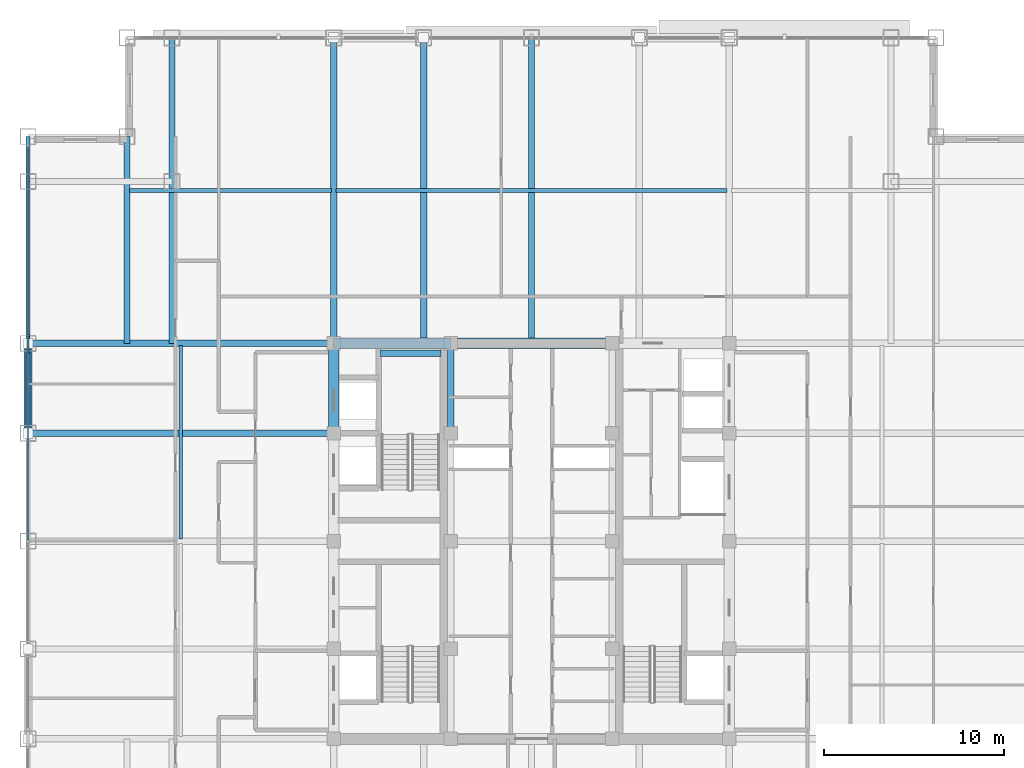
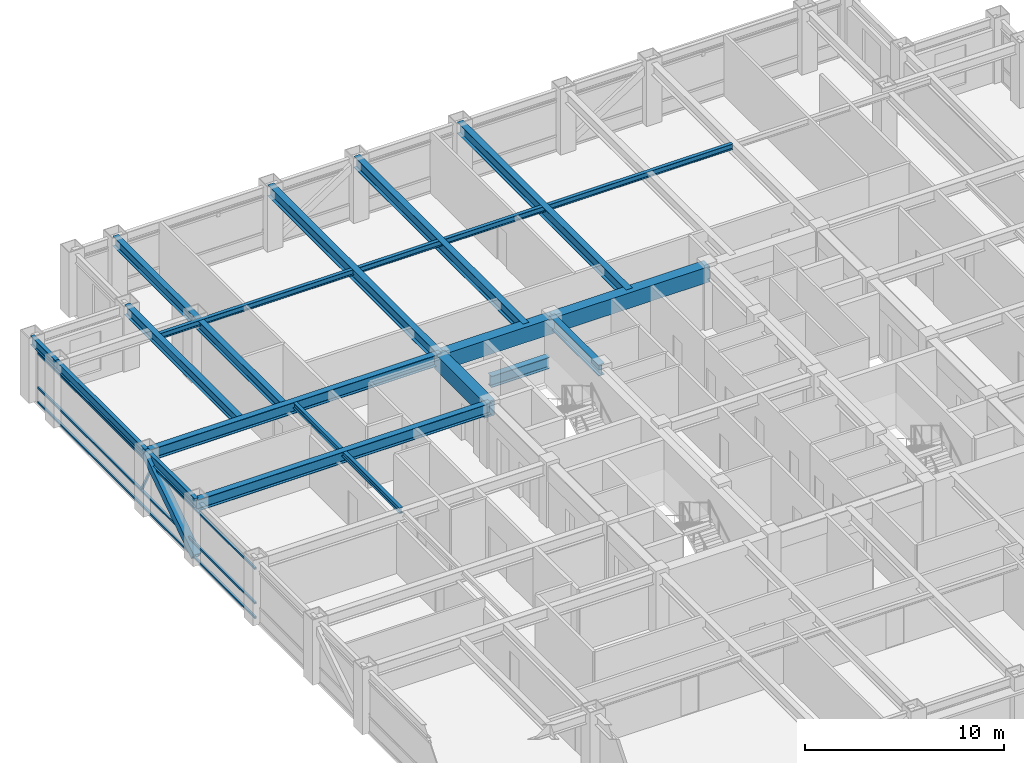
# One storey, part 11 of 27: 18 beams, 5 members, 1 element without a shape of its own.
"""IFC4 building model written with IfcOpenShell, lengths in metres."""

from ifc_helpers import new_model, si_unit, direction, frame, origin, origin_2d, place, context, subcontext, project, spatial, rectangle, hollow_rectangle, i_section, extrude, source, transform, mapped, material, material_profile, profile_set, type_object, element, aggregate, save


model = new_model("IFC4")

# Units and contexts
model_context = context("Model", 3, precision=1e-05, world=origin(), true_north=direction((0.0, 1.0)))
body_context = subcontext(model_context, "Body", "Model", "MODEL_VIEW")
ifc_project = project(units=[si_unit("LENGTHUNIT", "METRE"), si_unit("AREAUNIT", "SQUARE_METRE"), si_unit("VOLUMEUNIT", "CUBIC_METRE"), si_unit("PLANEANGLEUNIT", "RADIAN"), si_unit("MASSUNIT", "GRAM", prefix="KILO")], contexts=[model_context])

# Site, building, storey
site_placement = place(None, origin())
site = spatial("IfcSite", under=ifc_project, at=site_placement, CompositionType="ELEMENT")
building_placement = place(site_placement, origin())
building = spatial("IfcBuilding", under=site, at=building_placement, Name="Khorayat Bourse Tower", CompositionType="ELEMENT")
storey_placement = place(building_placement, frame((0.0, 0.0, 313.5)))
storey = spatial("IfcBuildingStorey", under=building, at=storey_placement, Name="L74", CompositionType="ELEMENT", Elevation=313.5)

# Beams
ifc_material_1 = material(Name="Steel ASTM A992 Grade 50", Category="steel")
ifc_material_profile_1 = material_profile(ifc_material_1, i_section(OverallWidth=0.35498046875, OverallDepth=0.695068359375, WebThickness=0.015380859375, FlangeThickness=0.02490234375, FilletRadius=0.01806640625, at=origin_2d()), Name="W690X217")
ifc_profile_set_1 = profile_set([ifc_material_profile_1], Name="Steel ASTM A992 Grade 50")
beam_type_1 = type_object("IfcBeamType", Name="BM-GIRD-690", PredefinedType="BEAM", material=ifc_profile_set_1)
shared_shape_1 = source(origin(), body_context, "Body", "SweptSolid", [
    extrude(i_section(OverallWidth=0.35498046875, OverallDepth=0.695068359375, WebThickness=0.015380859375, FlangeThickness=0.02490234375, FilletRadius=0.01806640625, at=origin_2d()), origin(), (0.0, 0.0, 1.0), 5.0),
])
beam_1_placement = place(storey_placement, frame((-4.5, 6.0, 3.4326171875), z_axis=(0.0, 1.0, 0.0), x_axis=(-1.0, 0.0, 0.0)))
element("IfcBeam", 1, at=beam_1_placement, inside=storey, type_object=beam_type_1, Name="L74 BM-GIRD-690 BM-L74-CRX-08", PredefinedType="BEAM", context=body_context, shape_type="MappedRepresentation", body=[
    mapped(shared_shape_1, transform((0.0, 0.0, 0.0), scale=1.0)),
])
shared_shape_2 = source(origin(), body_context, "Body", "SweptSolid", [
    extrude(i_section(OverallWidth=0.35498046875, OverallDepth=0.695068359375, WebThickness=0.015380859375, FlangeThickness=0.02490234375, FilletRadius=0.01806640625, at=origin_2d()), origin(), (0.0, 0.0, 1.0), 3.39990234375),
])
beam_2_placement = place(storey_placement, frame((-8.419921875, 10.449951171875, 1.452392578125), z_axis=(1.0, 0.0, 0.0), x_axis=(0.0, 1.0, 0.0)))
element("IfcBeam", 2, at=beam_2_placement, inside=storey, type_object=beam_type_1, Name="L74 BM-GIRD-690 BM-L74-ST2L", PredefinedType="BEAM", context=body_context, shape_type="MappedRepresentation", body=[
    mapped(shared_shape_2, transform((0.0, 0.0, 0.0), scale=1.0)),
])
ifc_material_profile_2 = material_profile(ifc_material_1, i_section(OverallWidth=0.324951171875, OverallDepth=0.615966796875, WebThickness=0.013916015625, FlangeThickness=0.021484375, FilletRadius=0.01611328125, at=origin_2d()), Name="W610X174")
ifc_profile_set_2 = profile_set([ifc_material_profile_2], Name="Steel ASTM A992 Grade 50")
beam_type_2 = type_object("IfcBeamType", Name="BM-GIRD-610", PredefinedType="BEAM", material=ifc_profile_set_2)
shared_shape_3 = source(origin(), body_context, "Body", "SweptSolid", [
    extrude(i_section(OverallWidth=0.324951171875, OverallDepth=0.615966796875, WebThickness=0.013916015625, FlangeThickness=0.021484375, FilletRadius=0.01611328125, at=origin_2d()), origin(), (0.0, 0.0, 1.0), 17.0),
])
beam_3_placement = place(storey_placement, frame((-20.0, 11.0, 3.471923828125), z_axis=(0.0, 1.0, 0.0), x_axis=(-1.0, 0.0, 0.0)))
element("IfcBeam", 3, at=beam_3_placement, inside=storey, type_object=beam_type_2, Name="L74 BM-GIRD-610 BM-L74-CNRY-085", PredefinedType="BEAM", context=body_context, shape_type="MappedRepresentation", body=[
    mapped(shared_shape_3, transform((0.0, 0.0, 0.0), scale=1.0)),
])
ifc_material_2 = material(Name="Concrete C60/75", Category="concrete")
ifc_material_profile_3 = material_profile(ifc_material_2, rectangle(XDim=0.60009765625, YDim=0.949951171875, at=origin_2d()), Name="RC 600x950")
ifc_profile_set_3 = profile_set([ifc_material_profile_3], Name="Concrete C60/75")
beam_type_3 = type_object("IfcBeamType", Name="BM-COUP-950", PredefinedType="BEAM", material=ifc_profile_set_3)
shared_shape_4 = source(origin(), body_context, "Body", "SweptSolid", [
    extrude(rectangle(XDim=0.60009765625, YDim=0.949951171875, at=origin_2d()), origin(), (0.0, 0.0, 1.0), 5.0),
])
beam_4_placement = place(storey_placement, frame((-11.0, 6.0, 3.304931640625), z_axis=(0.0, 1.0, 0.0), x_axis=(-1.0, 0.0, 0.0)))
element("IfcBeam", 4, at=beam_4_placement, inside=storey, type_object=beam_type_3, Name="L74 BM-COUP-950 BM-L74-CRX-04", PredefinedType="BEAM", context=body_context, shape_type="MappedRepresentation", body=[
    mapped(shared_shape_4, transform((0.0, 0.0, 0.0), scale=1.0)),
])
shared_shape_5 = source(origin(), body_context, "Body", "SweptSolid", [
    extrude(rectangle(XDim=0.60009765625, YDim=0.949951171875, at=origin_2d()), origin(), (0.0, 0.0, 1.0), 6.5),
])
beam_5_placement = place(storey_placement, frame((-11.0, 11.0, 3.304931640625), z_axis=(1.0, 0.0, 0.0), x_axis=(0.0, 1.0, 0.0)))
element("IfcBeam", 5, at=beam_5_placement, inside=storey, type_object=beam_type_3, Name="L74 BM-COUP-950 BM-L74-CRY-20", PredefinedType="BEAM", context=body_context, shape_type="MappedRepresentation", body=[
    mapped(shared_shape_5, transform((0.0, 0.0, 0.0), scale=1.0)),
])
shared_shape_6 = source(origin(), body_context, "Body", "SweptSolid", [
    extrude(rectangle(XDim=0.60009765625, YDim=0.949951171875, at=origin_2d()), origin(), (0.0, 0.0, 1.0), 9.0),
])
beam_6_placement = place(storey_placement, frame((-4.5, 11.0, 3.304931640625), z_axis=(1.0, 0.0, 0.0), x_axis=(0.0, 1.0, 0.0)))
element("IfcBeam", 6, at=beam_6_placement, inside=storey, type_object=beam_type_3, Name="L74 BM-COUP-950 BM-L74-CRY-21", PredefinedType="BEAM", context=body_context, shape_type="MappedRepresentation", body=[
    mapped(shared_shape_6, transform((0.0, 0.0, 0.0), scale=1.0)),
])

# Member
ifc_material_3 = material(Name="Steel EN 10025-4 S460M", Category="steel")
ifc_material_profile_4 = material_profile(ifc_material_3, hollow_rectangle(XDim=0.449951171875, YDim=0.449951171875, WallThickness=0.02490234375, at=origin_2d()), Name="HSS 450x450x25")
ifc_profile_set_4 = profile_set([ifc_material_profile_4], Name="Steel EN 10025-4 S460M")
member_type_1 = type_object("IfcMemberType", Name="MBR-TUBE-450", PredefinedType="BRACE", material=ifc_profile_set_4)
shared_shape_7 = source(origin(), body_context, "Body", "SweptSolid", [
    extrude(hollow_rectangle(XDim=0.449951171875, YDim=0.449951171875, WallThickness=0.02490234375, at=origin_2d()), origin(), (0.0, 0.0, 1.0), 5.979736328125),
])
member_1_placement = place(storey_placement, frame((-28.0, 6.0, 0.25), z_axis=(0.0, 0.836141536525, 0.548513747227), x_axis=(-1.0, 0.0, 0.0)))
element("IfcMember", 7, at=member_1_placement, inside=storey, type_object=member_type_1, Name="L74 Perimeter Tube Brace 06", PredefinedType="BRACE", context=body_context, shape_type="MappedRepresentation", body=[
    mapped(shared_shape_7, transform((0.0, 0.0, 0.0), scale=1.0)),
])

# Beams
shared_shape_8 = source(origin(), body_context, "Body", "SweptSolid", [
    extrude(i_section(OverallWidth=0.35498046875, OverallDepth=0.695068359375, WebThickness=0.015380859375, FlangeThickness=0.02490234375, FilletRadius=0.01806640625, at=origin_2d()), origin(), (0.0, 0.0, 1.0), 17.0),
])
for number, where, z_axis, x_axis, name in (
    (8, (-11.0, 11.0, 3.4326171875), (0.0, 1.0, 0.0), (-1.0, 0.0, 0.0), "L74 BM-GIRD-690 BM-L74-RADY-064"),
    (9, (-6.0, 11.0, 3.4326171875), (0.0, 1.0, 0.0), (-1.0, 0.0, 0.0), "L74 BM-GIRD-690 BM-L74-RADY-066"),
    (10, (0.0, 11.0, 3.4326171875), (0.0, 1.0, 0.0), (-1.0, 0.0, 0.0), "L74 BM-GIRD-690 BM-L74-RADY-068"),
    (11, (-28.0, 6.0, 3.4326171875), (1.0, 0.0, 0.0), (0.0, 1.0, 0.0), "L74 BM-GIRD-690 BM-L74-RADX-081"),
    (12, (-28.0, 11.0, 3.4326171875), (1.0, 0.0, 0.0), (0.0, 1.0, 0.0), "L74 BM-GIRD-690 BM-L74-RADX-083"),
):
    element("IfcBeam", number, at=place(storey_placement, frame(where, z_axis=z_axis, x_axis=x_axis)), inside=storey, type_object=beam_type_1, Name=name, PredefinedType="BEAM", context=body_context, shape_type="MappedRepresentation", body=[
        mapped(shared_shape_8, transform((0.0, 0.0, 0.0), scale=1.0)),
    ])
shared_shape_9 = source(origin(), body_context, "Body", "SweptSolid", [
    extrude(i_section(OverallWidth=0.324951171875, OverallDepth=0.615966796875, WebThickness=0.013916015625, FlangeThickness=0.021484375, FilletRadius=0.01611328125, at=origin_2d()), origin(), (0.0, 0.0, 1.0), 11.5),
])
beam_7_placement = place(storey_placement, frame((-22.5, 11.0, 3.471923828125), z_axis=(0.0, 1.0, 0.0), x_axis=(-1.0, 0.0, 0.0)))
element("IfcBeam", 13, at=beam_7_placement, inside=storey, type_object=beam_type_2, Name="L74 BM-GIRD-610 BM-L74-CNRY-089", PredefinedType="BEAM", context=body_context, shape_type="MappedRepresentation", body=[
    mapped(shared_shape_9, transform((0.0, 0.0, 0.0), scale=1.0)),
])
ifc_material_profile_5 = material_profile(ifc_material_1, i_section(OverallWidth=0.202880859375, OverallDepth=0.346923828125, WebThickness=0.0078125, FlangeThickness=0.013427734375, FilletRadius=0.010009765625, at=origin_2d()), Name="W360X64")
ifc_profile_set_5 = profile_set([ifc_material_profile_5], Name="Steel ASTM A992 Grade 50")
beam_type_4 = type_object("IfcBeamType", Name="BM-JOIST-360", PredefinedType="JOIST", material=ifc_profile_set_5)
shared_shape_10 = source(origin(), body_context, "Body", "SweptSolid", [
    extrude(i_section(OverallWidth=0.202880859375, OverallDepth=0.346923828125, WebThickness=0.0078125, FlangeThickness=0.013427734375, FilletRadius=0.010009765625, at=origin_2d()), origin(), (0.0, 0.0, 1.0), 11.240234375),
])
beam_8_placement = place(storey_placement, frame((-22.3701171875, 19.5, 3.6064453125), z_axis=(1.0, 0.0, 0.0), x_axis=(0.0, 1.0, 0.0)))
element("IfcBeam", 14, at=beam_8_placement, inside=storey, type_object=beam_type_4, Name="L74 BM-JOIST-360 BM-L74-JSTX-099", PredefinedType="JOIST", context=body_context, shape_type="MappedRepresentation", body=[
    mapped(shared_shape_10, transform((0.0, 0.0, 0.0), scale=1.0)),
])
shared_shape_11 = source(origin(), body_context, "Body", "SweptSolid", [
    extrude(i_section(OverallWidth=0.202880859375, OverallDepth=0.346923828125, WebThickness=0.0078125, FlangeThickness=0.013427734375, FilletRadius=0.010009765625, at=origin_2d()), origin(), (0.0, 0.0, 1.0), 21.740234375),
])
beam_9_placement = place(storey_placement, frame((-10.8701171875, 19.5, 3.6064453125), z_axis=(1.0, 0.0, 0.0), x_axis=(0.0, 1.0, 0.0)))
element("IfcBeam", 15, at=beam_9_placement, inside=storey, type_object=beam_type_4, Name="L74 BM-JOIST-360 BM-L74-JSTX-100", PredefinedType="JOIST", context=body_context, shape_type="MappedRepresentation", body=[
    mapped(shared_shape_11, transform((0.0, 0.0, 0.0), scale=1.0)),
])
shared_shape_12 = source(origin(), body_context, "Body", "SweptSolid", [
    extrude(i_section(OverallWidth=0.202880859375, OverallDepth=0.346923828125, WebThickness=0.0078125, FlangeThickness=0.013427734375, FilletRadius=0.010009765625, at=origin_2d()), origin(), (0.0, 0.0, 1.0), 10.740234375),
])
beam_10_placement = place(storey_placement, frame((-19.5, 0.1298828125, 3.6064453125), z_axis=(0.0, 1.0, 0.0), x_axis=(-1.0, 0.0, 0.0)))
element("IfcBeam", 16, at=beam_10_placement, inside=storey, type_object=beam_type_4, Name="L74 BM-JOIST-360 BM-L74-JSTY-103", PredefinedType="JOIST", context=body_context, shape_type="MappedRepresentation", body=[
    mapped(shared_shape_12, transform((0.0, 0.0, 0.0), scale=1.0)),
])
ifc_material_profile_6 = material_profile(ifc_material_1, i_section(OverallWidth=0.214111328125, OverallDepth=0.549072265625, WebThickness=0.0146484375, FlangeThickness=0.023681640625, FilletRadius=0.013916015625, at=origin_2d()), Name="W530X138")
ifc_profile_set_6 = profile_set([ifc_material_profile_6], Name="Steel ASTM A992 Grade 50")
beam_type_5 = type_object("IfcBeamType", Name="BM-SPAN-530", PredefinedType="SPANDREL", material=ifc_profile_set_6)
shared_shape_13 = source(origin(), body_context, "Body", "SweptSolid", [
    extrude(i_section(OverallWidth=0.214111328125, OverallDepth=0.549072265625, WebThickness=0.0146484375, FlangeThickness=0.023681640625, FilletRadius=0.013916015625, at=origin_2d()), origin(), (0.0, 0.0, 1.0), 2.5),
])
beam_11_placement = place(storey_placement, frame((-28.0, 20.0, 3.505615234375), z_axis=(0.0, 1.0, 0.0), x_axis=(-1.0, 0.0, 0.0)))
element("IfcBeam", 17, at=beam_11_placement, inside=storey, type_object=beam_type_5, Name="L74 BM-SPAN-530 BM-L74-SPN-054", PredefinedType="SPANDREL", context=body_context, shape_type="MappedRepresentation", body=[
    mapped(shared_shape_13, transform((0.0, 0.0, 0.0), scale=1.0)),
])
shared_shape_14 = source(origin(), body_context, "Body", "SweptSolid", [
    extrude(i_section(OverallWidth=0.214111328125, OverallDepth=0.549072265625, WebThickness=0.0146484375, FlangeThickness=0.023681640625, FilletRadius=0.013916015625, at=origin_2d()), origin(), (0.0, 0.0, 1.0), 9.0),
])
beam_12_placement = place(storey_placement, frame((-28.0, 11.0, 3.505615234375), z_axis=(0.0, 1.0, 0.0), x_axis=(-1.0, 0.0, 0.0)))
element("IfcBeam", 18, at=beam_12_placement, inside=storey, type_object=beam_type_5, Name="L74 BM-SPAN-530 BM-L74-SPN-055", PredefinedType="SPANDREL", context=body_context, shape_type="MappedRepresentation", body=[
    mapped(shared_shape_14, transform((0.0, 0.0, 0.0), scale=1.0)),
])
shared_shape_15 = source(origin(), body_context, "Body", "SweptSolid", [
    extrude(i_section(OverallWidth=0.214111328125, OverallDepth=0.549072265625, WebThickness=0.0146484375, FlangeThickness=0.023681640625, FilletRadius=0.013916015625, at=origin_2d()), origin(), (0.0, 0.0, 1.0), 5.0),
])
beam_13_placement = place(storey_placement, frame((-28.0, 6.0, 3.505615234375), z_axis=(0.0, 1.0, 0.0), x_axis=(-1.0, 0.0, 0.0)))
element("IfcBeam", 19, at=beam_13_placement, inside=storey, type_object=beam_type_5, Name="L74 BM-SPAN-530 BM-L74-SPN-056", PredefinedType="SPANDREL", context=body_context, shape_type="MappedRepresentation", body=[
    mapped(shared_shape_15, transform((0.0, 0.0, 0.0), scale=1.0)),
])

# Curtain wall, members
ifc_material_4 = material(Name="Aluminium EN AW-6063 T6", Category="aluminium")
curtain_wall_type = type_object("IfcCurtainWallType", Name="CW-SYS-04", PredefinedType="NOTDEFINED", material=ifc_material_4)
curtain_wall_placement = place(storey_placement, origin())
curtain_wall = element("IfcCurtainWall", 20, at=curtain_wall_placement, inside=storey, type_object=curtain_wall_type, Name="L74 Curtain Wall CW-L74-W1", PredefinedType="NOTDEFINED")
ifc_material_profile_7 = material_profile(ifc_material_4, hollow_rectangle(XDim=0.1201171875, YDim=0.1201171875, WallThickness=0.0048828125, at=origin_2d()), Name="ALU 120x120x5")
ifc_profile_set_7 = profile_set([ifc_material_profile_7], Name="Aluminium EN AW-6063 T6")
member_type_2 = type_object("IfcMemberType", Name="CWM-DIAG-120", PredefinedType="MULLION", material=ifc_profile_set_7)
shared_shape_16 = source(origin(), body_context, "Body", "SweptSolid", [
    extrude(hollow_rectangle(XDim=0.1201171875, YDim=0.1201171875, WallThickness=0.0048828125, at=origin_2d()), origin(), (0.0, 0.0, 1.0), 2.0791015625),
])
member_2_placement = place(storey_placement, frame((-28.0, 11.4541015625, 1.090087890625), z_axis=(0.0, -0.465717394116, 0.884933505309), x_axis=(1.0, 0.0, 0.0)))
member_2 = element("IfcMember", 21, at=member_2_placement, type_object=member_type_2, Name="CW-L74-W1 Faceted Diagonal Mullion 2", PredefinedType="MULLION", context=body_context, shape_type="MappedRepresentation", body=[
    mapped(shared_shape_16, transform((0.0, 0.0, 0.0), scale=1.0)),
])
ifc_material_profile_8 = material_profile(ifc_material_4, hollow_rectangle(XDim=0.1201171875, YDim=0.1201171875, WallThickness=0.0048828125, at=origin_2d()), Name="ALU 120x120x5")
ifc_profile_set_8 = profile_set([ifc_material_profile_8], Name="Aluminium EN AW-6063 T6")
member_type_3 = type_object("IfcMemberType", Name="CWT-HORZ-120", PredefinedType="USERDEFINED", material=ifc_profile_set_8)
shared_shape_17 = source(origin(), body_context, "Body", "SweptSolid", [
    extrude(hollow_rectangle(XDim=0.1201171875, YDim=0.1201171875, WallThickness=0.0048828125, at=origin_2d()), origin(), (0.0, 0.0, 1.0), 21.81982421875),
])
member_3_placement = place(storey_placement, frame((-28.0, 0.06005859375, 0.06005859375), z_axis=(0.0, 1.0, 0.0), x_axis=(-1.0, 0.0, 0.0)))
member_3 = element("IfcMember", 22, at=member_3_placement, type_object=member_type_3, Name="CW-L74-W1 Horizontal Transom 2-1", ObjectType="TRANSOM", PredefinedType="USERDEFINED", context=body_context, shape_type="MappedRepresentation", body=[
    mapped(shared_shape_17, transform((0.0, 0.0, 0.0), scale=1.0)),
])
member_4_placement = place(storey_placement, frame((-28.0, 0.06005859375, 0.949951171875), z_axis=(0.0, 1.0, 0.0), x_axis=(-1.0, 0.0, 0.0)))
member_4 = element("IfcMember", 23, at=member_4_placement, type_object=member_type_3, Name="CW-L74-W1 Horizontal Transom 2-2", ObjectType="TRANSOM", PredefinedType="USERDEFINED", context=body_context, shape_type="MappedRepresentation", body=[
    mapped(shared_shape_17, transform((0.0, 0.0, 0.0), scale=1.0)),
])
member_5_placement = place(storey_placement, frame((-28.0, 0.06005859375, 3.070068359375), z_axis=(0.0, 1.0, 0.0), x_axis=(-1.0, 0.0, 0.0)))
member_5 = element("IfcMember", 24, at=member_5_placement, type_object=member_type_3, Name="CW-L74-W1 Horizontal Transom 2-3", ObjectType="TRANSOM", PredefinedType="USERDEFINED", context=body_context, shape_type="MappedRepresentation", body=[
    mapped(shared_shape_17, transform((0.0, 0.0, 0.0), scale=1.0)),
])
aggregate(curtain_wall, [member_3, member_4, member_5, member_2])

save(model, "model.ifc")
